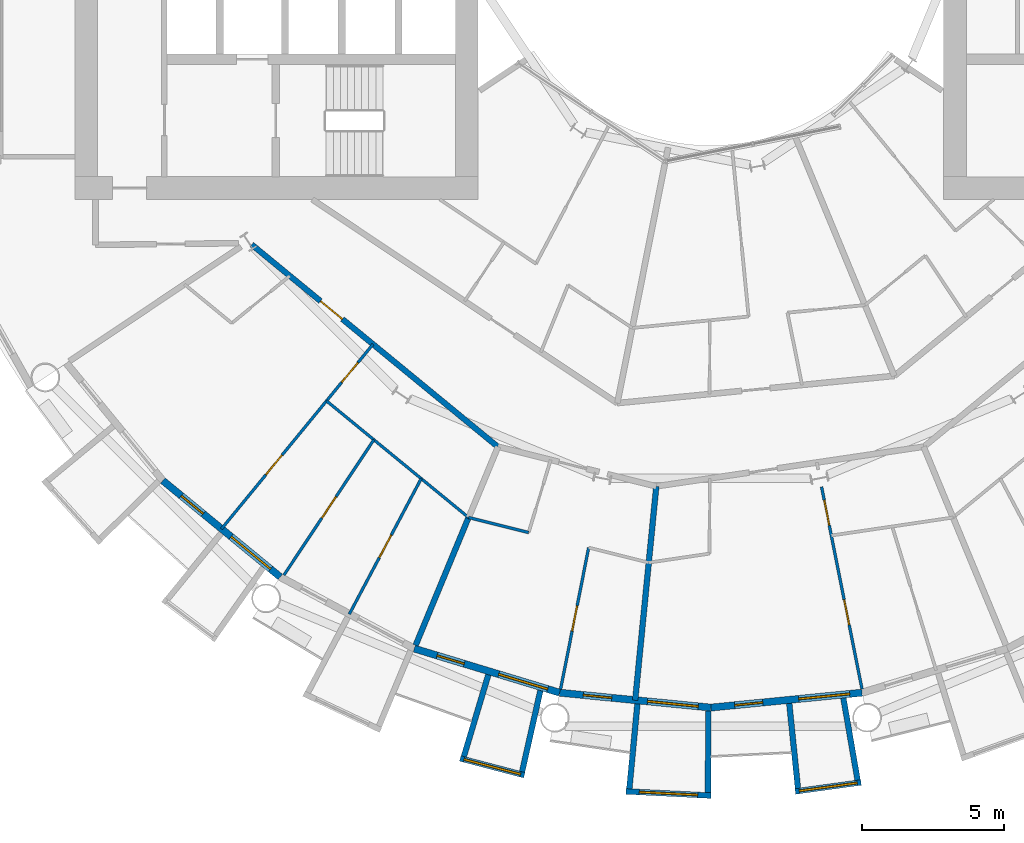
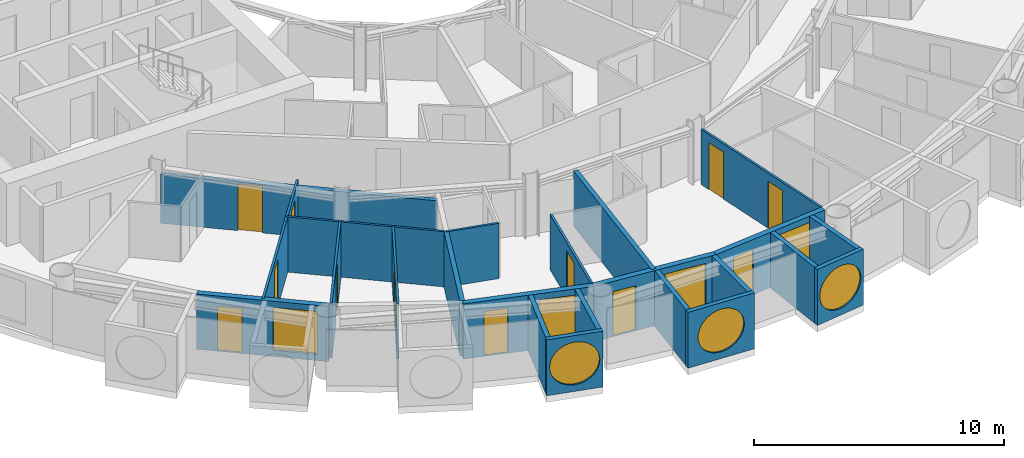
# One storey, part 13 of 26: 23 walls, 12 doors, 7 windows, 19 openings.
"""IFC4 building model written with IfcOpenShell, lengths in metres."""

from ifc_helpers import new_model, si_unit, direction, frame, frame_2d, origin, place, context, subcontext, project, spatial, rectangle, circle, extrude, material, layer, layer_set, type_object, element, fill, save


model = new_model("IFC4")

# Units and contexts
model_context = context("Model", 3, precision=1e-05, world=origin(), true_north=direction((0.0, 1.0)))
body_context = subcontext(model_context, "Body", "Model", "MODEL_VIEW")
ifc_project = project(units=[si_unit("LENGTHUNIT", "METRE"), si_unit("AREAUNIT", "SQUARE_METRE"), si_unit("VOLUMEUNIT", "CUBIC_METRE"), si_unit("PLANEANGLEUNIT", "RADIAN"), si_unit("MASSUNIT", "GRAM", prefix="KILO")], contexts=[model_context])

# Site, building, storey
site_placement = place(None, origin())
site = spatial("IfcSite", under=ifc_project, at=site_placement, CompositionType="ELEMENT")
building_placement = place(site_placement, origin())
building = spatial("IfcBuilding", under=site, at=building_placement, Name="Maasbend Ring Residences", CompositionType="ELEMENT")
storey_placement = place(building_placement, frame((0.0, 0.0, 38.050048828125)))
storey = spatial("IfcBuildingStorey", under=building, at=storey_placement, Name="L10", CompositionType="ELEMENT", Elevation=38.050048828125)

# Wall, opening, door
ifc_material_1 = material(Name="Concrete C30/37", Category="concrete")
ifc_layer_1 = layer(ifc_material_1, 0.199951171875)
ifc_layer_set_1 = layer_set([ifc_layer_1], Name="Concrete C30/37")
wall_type_1 = type_object("IfcWallType", Name="CORRIDOR WALL 200 CONCRETE", PredefinedType="PARTITIONING", material=ifc_layer_set_1)
wall_1_placement = place(storey_placement, frame((-16.173095703125, -10.989990234375, 0.0), z_axis=(0.0, 0.0, 1.0), x_axis=(0.772704887747, -0.634765434198, 0.0)))
wall_1 = element("IfcWall", 1, at=wall_1_placement, inside=storey, type_object=wall_type_1, Name="U-L10-w014", PredefinedType="PARTITIONING", context=body_context, shape_type="SweptSolid", body=[
    extrude(rectangle(XDim=11.208740234375, YDim=0.199951171875, at=frame_2d((5.6044921875, 0.0))), origin(), (0.0, 0.0, 1.0), 2.3798828125),
])
opening_1_placement = place(wall_1_placement, frame((3.136962890625, 0.0, 0.0)))
opening_1 = element("IfcOpeningElement", 2, at=opening_1_placement, cuts=wall_1, Name="Opening D-1033", PredefinedType="OPENING", context=body_context, shape_type="SweptSolid", body=[
    extrude(rectangle(XDim=1.0, YDim=2.300048828125, at=frame_2d((0.5, 1.14990234375))), frame((0.0, 0.10986328125, 0.0), z_axis=(0.0, -1.0, 0.0), x_axis=(1.0, 0.0, 0.0)), (0.0, 0.0, 1.0), 0.219970703125),
])
ifc_material_2 = material(Name="Timber, fire-rated, painted", Category="wood")
door_type_1 = type_object("IfcDoorType", Name="FLAT ENTRANCE DOOR 1000 X 2300 FIRE-RATED", OperationType="NOTDEFINED", PredefinedType="DOOR", material=ifc_material_2)
door_1_placement = place(opening_1_placement, origin())
door_1 = element("IfcDoor", 3, at=door_1_placement, inside=storey, type_object=door_type_1, Name="D-1033", OperationType="SINGLE_SWING_LEFT", OverallHeight=2.300048828125, OverallWidth=1.0, PredefinedType="DOOR", context=body_context, shape_type="SweptSolid", body=[
    extrude(rectangle(XDim=1.0, YDim=2.300048828125, at=frame_2d((0.5, 1.14990234375))), frame((0.0, 0.02490234375, 0.0), z_axis=(0.0, -1.0, 0.0), x_axis=(1.0, 0.0, 0.0)), (0.0, 0.0, 1.0), 0.050048828125),
])
fill(opening_1, door_1)

# Wall, opening, window
ifc_material_3 = material(Name="Pale anodised aluminium panel", Category="aluminium")
ifc_layer_2 = layer(ifc_material_3, 0.199951171875)
ifc_layer_set_2 = layer_set([ifc_layer_2], Name="EW-BOX")
wall_type_2 = type_object("IfcWallType", Name="EW-BOX", PredefinedType="SOLIDWALL", material=ifc_layer_set_2)
wall_2_placement = place(storey_placement, frame((-8.827880859375, -29.090087890625, -0.030029296875), z_axis=(0.0, 0.0, 1.0), x_axis=(0.967377102346, -0.253340762326, 0.0)))
wall_2 = element("IfcWall", 4, at=wall_2_placement, inside=storey, type_object=wall_type_2, Name="Box front S08", PredefinedType="SOLIDWALL", context=body_context, shape_type="SweptSolid", body=[
    extrude(rectangle(XDim=2.3359375, YDim=0.199951171875, at=frame_2d((1.16796875, 0.0))), origin(), (0.0, 0.0, 1.0), 2.72998046875),
])
opening_2_placement = place(wall_2_placement, frame((0.128173828125, 0.0, 0.330078125)))
opening_2 = element("IfcOpeningElement", 5, at=opening_2_placement, cuts=wall_2, Name="Opening W-RD", PredefinedType="OPENING", context=body_context, shape_type="SweptSolid", body=[
    extrude(circle(Radius=1.0400390625, at=frame_2d((1.0400390625, 1.0400390625))), frame((0.0, 0.10986328125, 0.0), z_axis=(0.0, -1.0, 0.0), x_axis=(1.0, 0.0, 0.0)), (0.0, 0.0, 1.0), 0.219970703125),
])
ifc_material_4 = material(Name="Aluminium and clear glass", Category="aluminium")
window_type_1 = type_object("IfcWindowType", Name="W-RD", PartitioningType="SINGLE_PANEL", PredefinedType="WINDOW", material=ifc_material_4)
window_1_placement = place(opening_2_placement, origin())
window_1 = element("IfcWindow", 6, at=window_1_placement, inside=storey, type_object=window_type_1, Name="Round window S08", OverallHeight=2.080078125, OverallWidth=2.080078125, PartitioningType="SINGLE_PANEL", PredefinedType="WINDOW", context=body_context, shape_type="SweptSolid", body=[
    extrude(circle(Radius=1.0400390625, at=frame_2d((1.0400390625, 1.0400390625))), frame((0.0, 0.030029296875, 0.0), z_axis=(0.0, -1.0, 0.0), x_axis=(1.0, 0.0, 0.0)), (0.0, 0.0, 1.0), 0.06005859375),
])
fill(opening_2, window_1)

# Walls
wall_3_placement = place(storey_placement, frame((-7.8369140625, -26.14404296875, -0.030029296875), z_axis=(0.0, 0.0, 1.0), x_axis=(-0.287064767992, -0.957911174889, 0.0)))
element("IfcWall", 7, at=wall_3_placement, inside=storey, type_object=wall_type_2, Name="Box side wall S08 left", PredefinedType="SOLIDWALL", context=body_context, shape_type="SweptSolid", body=[
    extrude(rectangle(XDim=3.00634765625, YDim=0.199951171875, at=frame_2d((1.503173828125, 0.0))), origin(), (0.0, 0.0, 1.0), 2.72998046875),
])
wall_4_placement = place(storey_placement, frame((-6.00390625, -26.699951171875, -0.030029296875), z_axis=(0.0, 0.0, 1.0), x_axis=(-0.219609259383, -0.975587911566, 0.0)))
element("IfcWall", 8, at=wall_4_placement, inside=storey, type_object=wall_type_2, Name="Box side wall S08 right", PredefinedType="SOLIDWALL", context=body_context, shape_type="SweptSolid", body=[
    extrude(rectangle(XDim=2.9326171875, YDim=0.199951171875, at=frame_2d((1.46630859375, 0.0))), origin(), (0.0, 0.0, 1.0), 2.72998046875),
])

# Wall, opening, window
wall_5_placement = place(storey_placement, frame((-2.985107421875, -30.2529296875, -0.030029296875), z_axis=(0.0, 0.0, 1.0), x_axis=(0.998794083011, -0.049095618353, 0.0)))
wall_5 = element("IfcWall", 9, at=wall_5_placement, inside=storey, type_object=wall_type_2, Name="Box front S10", PredefinedType="SOLIDWALL", context=body_context, shape_type="SweptSolid", body=[
    extrude(rectangle(XDim=2.99365234375, YDim=0.199951171875, at=frame_2d((1.496826171875, 0.0))), origin(), (0.0, 0.0, 1.0), 2.72998046875),
])
opening_3_placement = place(wall_5_placement, frame((0.45654296875, 0.0, 0.330078125)))
opening_3 = element("IfcOpeningElement", 10, at=opening_3_placement, cuts=wall_5, Name="Opening W-RD", PredefinedType="OPENING", context=body_context, shape_type="SweptSolid", body=[
    extrude(circle(Radius=1.0400390625, at=frame_2d((1.0400390625, 1.0400390625))), frame((0.0, 0.10986328125, 0.0), z_axis=(0.0, -1.0, 0.0), x_axis=(1.0, 0.0, 0.0)), (0.0, 0.0, 1.0), 0.219970703125),
])
window_2_placement = place(opening_3_placement, origin())
window_2 = element("IfcWindow", 11, at=window_2_placement, inside=storey, type_object=window_type_1, Name="Round window S10", OverallHeight=2.080078125, OverallWidth=2.080078125, PartitioningType="SINGLE_PANEL", PredefinedType="WINDOW", context=body_context, shape_type="SweptSolid", body=[
    extrude(circle(Radius=1.0400390625, at=frame_2d((1.0400390625, 1.0400390625))), frame((0.0, 0.030029296875, 0.0), z_axis=(0.0, -1.0, 0.0), x_axis=(1.0, 0.0, 0.0)), (0.0, 0.0, 1.0), 0.06005859375),
])
fill(opening_3, window_2)

# Walls
wall_6_placement = place(storey_placement, frame((-2.5859375, -27.1708984375, -0.030029296875), z_axis=(0.0, 0.0, 1.0), x_axis=(-0.094548432284, -0.995520262954, 0.0)))
element("IfcWall", 12, at=wall_6_placement, inside=storey, type_object=wall_type_2, Name="Box side wall S10 left", PredefinedType="SOLIDWALL", context=body_context, shape_type="SweptSolid", body=[
    extrude(rectangle(XDim=3.005615234375, YDim=0.199951171875, at=frame_2d((1.5029296875, 0.0))), origin(), (0.0, 0.0, 1.0), 2.72998046875),
])
wall_7_placement = place(storey_placement, frame((-0.090087890625, -27.4169921875, -0.030029296875), z_axis=(0.0, 0.0, 1.0), x_axis=(-0.00347308367, -0.999993968827, 0.0)))
element("IfcWall", 13, at=wall_7_placement, inside=storey, type_object=wall_type_2, Name="Box side wall S10 right", PredefinedType="SOLIDWALL", context=body_context, shape_type="SweptSolid", body=[
    extrude(rectangle(XDim=2.882080078125, YDim=0.199951171875, at=frame_2d((1.44091796875, 0.0))), origin(), (0.0, 0.0, 1.0), 2.72998046875),
])

# Wall, opening, window
wall_8_placement = place(storey_placement, frame((2.97607421875, -30.25390625, -0.030029296875), z_axis=(0.0, 0.0, 1.0), x_axis=(0.990696111261, 0.136092671119, 0.0)))
wall_8 = element("IfcWall", 14, at=wall_8_placement, inside=storey, type_object=wall_type_2, Name="Box front S12", PredefinedType="SOLIDWALL", context=body_context, shape_type="SweptSolid", body=[
    extrude(rectangle(XDim=2.335693359375, YDim=0.199951171875, at=frame_2d((1.16796875, 0.0))), origin(), (0.0, 0.0, 1.0), 2.72998046875),
])
opening_4_placement = place(wall_8_placement, frame((0.128173828125, 0.0, 0.330078125)))
opening_4 = element("IfcOpeningElement", 15, at=opening_4_placement, cuts=wall_8, Name="Opening W-RD", PredefinedType="OPENING", context=body_context, shape_type="SweptSolid", body=[
    extrude(circle(Radius=1.0400390625, at=frame_2d((1.0400390625, 1.0400390625))), frame((0.0, 0.10986328125, 0.0), z_axis=(0.0, -1.0, 0.0), x_axis=(1.0, 0.0, 0.0)), (0.0, 0.0, 1.0), 0.219970703125),
])
window_3_placement = place(opening_4_placement, origin())
window_3 = element("IfcWindow", 16, at=window_3_placement, inside=storey, type_object=window_type_1, Name="Round window S12", OverallHeight=2.080078125, OverallWidth=2.080078125, PartitioningType="SINGLE_PANEL", PredefinedType="WINDOW", context=body_context, shape_type="SweptSolid", body=[
    extrude(circle(Radius=1.0400390625, at=frame_2d((1.0400390625, 1.0400390625))), frame((0.0, 0.030029296875, 0.0), z_axis=(0.0, -1.0, 0.0), x_axis=(1.0, 0.0, 0.0)), (0.0, 0.0, 1.0), 0.06005859375),
])
fill(opening_4, window_3)

# Walls
wall_9_placement = place(storey_placement, frame((2.763916015625, -27.153076171875, -0.030029296875), z_axis=(0.0, 0.0, 1.0), x_axis=(0.101505487237, -0.994834979311, 0.0)))
element("IfcWall", 17, at=wall_9_placement, inside=storey, type_object=wall_type_2, Name="Box side wall S12 left", PredefinedType="SOLIDWALL", context=body_context, shape_type="SweptSolid", body=[
    extrude(rectangle(XDim=3.006591796875, YDim=0.199951171875, at=frame_2d((1.50341796875, 0.0))), origin(), (0.0, 0.0, 1.0), 2.72998046875),
])
wall_10_placement = place(storey_placement, frame((4.6708984375, -26.966064453125, -0.030029296875), z_axis=(0.0, 0.0, 1.0), x_axis=(0.170539878907, -0.985350774954, 0.0)))
element("IfcWall", 18, at=wall_10_placement, inside=storey, type_object=wall_type_2, Name="Box side wall S12 right", PredefinedType="SOLIDWALL", context=body_context, shape_type="SweptSolid", body=[
    extrude(rectangle(XDim=2.931884765625, YDim=0.199951171875, at=frame_2d((1.4658203125, 0.0))), origin(), (0.0, 0.0, 1.0), 2.72998046875),
])

# Wall, openings, door, window
ifc_material_5 = material(Name="Aluminium clad insulated panel", Category="aluminium")
ifc_layer_3 = layer(ifc_material_5, 0.25)
ifc_layer_set_3 = layer_set([ifc_layer_3], Name="EW-GL")
wall_type_3 = type_object("IfcWallType", Name="EW-GL", PredefinedType="SOLIDWALL", material=ifc_layer_set_3)
wall_11_placement = place(storey_placement, frame((-19.303955078125, -19.303955078125, 0.0), z_axis=(0.0, 0.0, 1.0), x_axis=(0.773019449054, -0.634382322723, 0.0)))
wall_11 = element("IfcWall", 19, at=wall_11_placement, inside=storey, type_object=wall_type_3, Name="External wall S02", PredefinedType="SOLIDWALL", context=body_context, shape_type="SweptSolid", body=[
    extrude(rectangle(XDim=5.351806640625, YDim=0.25, at=frame_2d((2.67578125, 0.0))), origin(), (0.0, 0.0, 1.0), 2.699951171875),
])
opening_5_placement = place(wall_11_placement, frame((0.841064453125, 0.0, 0.0)))
opening_5 = element("IfcOpeningElement", 20, at=opening_5_placement, cuts=wall_11, Name="Opening D-LG", PredefinedType="OPENING", context=body_context, shape_type="SweptSolid", body=[
    extrude(rectangle(XDim=1.0, YDim=2.199951171875, at=frame_2d((0.5, 1.10009765625))), frame((0.0, 0.135009765625, 0.0), z_axis=(0.0, -1.0, 0.0), x_axis=(1.0, 0.0, 0.0)), (0.0, 0.0, 1.0), 0.27001953125),
])
opening_6_placement = place(wall_11_placement, frame((3.110595703125, 0.0, 0.300048828125)))
opening_6 = element("IfcOpeningElement", 21, at=opening_6_placement, cuts=wall_11, Name="Opening W-BX", PredefinedType="OPENING", context=body_context, shape_type="SweptSolid", body=[
    extrude(rectangle(XDim=1.800048828125, YDim=2.10009765625, at=frame_2d((0.89990234375, 1.050048828125))), frame((0.0, 0.135009765625, 0.0), z_axis=(0.0, -1.0, 0.0), x_axis=(1.0, 0.0, 0.0)), (0.0, 0.0, 1.0), 0.27001953125),
])
ifc_material_6 = material(Name="Aluminium and clear glass", Category="aluminium")
door_type_2 = type_object("IfcDoorType", Name="D-LG", OperationType="SINGLE_SWING_LEFT", PredefinedType="DOOR", material=ifc_material_6)
door_2_placement = place(opening_5_placement, origin())
door_2 = element("IfcDoor", 22, at=door_2_placement, inside=storey, type_object=door_type_2, Name="Loggia door S03", OperationType="SINGLE_SWING_LEFT", OverallHeight=2.199951171875, OverallWidth=1.0, PredefinedType="DOOR", context=body_context, shape_type="SweptSolid", body=[
    extrude(rectangle(XDim=1.0, YDim=2.199951171875, at=frame_2d((0.5, 1.10009765625))), frame((0.0, 0.02490234375, 0.0), z_axis=(0.0, -1.0, 0.0), x_axis=(1.0, 0.0, 0.0)), (0.0, 0.0, 1.0), 0.050048828125),
])
fill(opening_5, door_2)
ifc_material_7 = material(Name="Aluminium and clear glass", Category="aluminium")
window_type_2 = type_object("IfcWindowType", Name="W-BX", PartitioningType="DOUBLE_PANEL_VERTICAL", PredefinedType="WINDOW", material=ifc_material_7)
window_4_placement = place(opening_6_placement, origin())
window_4 = element("IfcWindow", 23, at=window_4_placement, inside=storey, type_object=window_type_2, Name="Window S04 room to box", OverallHeight=2.10009765625, OverallWidth=1.800048828125, PartitioningType="SINGLE_PANEL", PredefinedType="WINDOW", context=body_context, shape_type="SweptSolid", body=[
    extrude(rectangle(XDim=1.800048828125, YDim=2.10009765625, at=frame_2d((0.89990234375, 1.050048828125))), frame((0.0, 0.030029296875, 0.0), z_axis=(0.0, -1.0, 0.0), x_axis=(1.0, 0.0, 0.0)), (0.0, 0.0, 1.0), 0.06005859375),
])
fill(opening_6, window_4)

wall_12_placement = place(storey_placement, frame((-10.447021484375, -25.221923828125, 0.0), z_axis=(0.0, 0.0, 1.0), x_axis=(0.956965678721, -0.290201119486, 0.0)))
wall_12 = element("IfcWall", 24, at=wall_12_placement, inside=storey, type_object=wall_type_3, Name="External wall S04", PredefinedType="SOLIDWALL", context=body_context, shape_type="SweptSolid", body=[
    extrude(rectangle(XDim=5.351318359375, YDim=0.25, at=frame_2d((2.67578125, 0.0))), origin(), (0.0, 0.0, 1.0), 2.699951171875),
])
opening_7_placement = place(wall_12_placement, frame((0.841064453125, 0.0, 0.0)))
opening_7 = element("IfcOpeningElement", 25, at=opening_7_placement, cuts=wall_12, Name="Opening D-LG", PredefinedType="OPENING", context=body_context, shape_type="SweptSolid", body=[
    extrude(rectangle(XDim=1.0, YDim=2.199951171875, at=frame_2d((0.5, 1.10009765625))), frame((0.0, 0.135009765625, 0.0), z_axis=(0.0, -1.0, 0.0), x_axis=(1.0, 0.0, 0.0)), (0.0, 0.0, 1.0), 0.27001953125),
])
opening_8_placement = place(wall_12_placement, frame((3.110595703125, 0.0, 0.300048828125)))
opening_8 = element("IfcOpeningElement", 26, at=opening_8_placement, cuts=wall_12, Name="Opening W-BX", PredefinedType="OPENING", context=body_context, shape_type="SweptSolid", body=[
    extrude(rectangle(XDim=1.800048828125, YDim=2.10009765625, at=frame_2d((0.89990234375, 1.050048828125))), frame((0.0, 0.135009765625, 0.0), z_axis=(0.0, -1.0, 0.0), x_axis=(1.0, 0.0, 0.0)), (0.0, 0.0, 1.0), 0.27001953125),
])
door_3_placement = place(opening_7_placement, origin())
door_3 = element("IfcDoor", 27, at=door_3_placement, inside=storey, type_object=door_type_2, Name="Loggia door S07", OperationType="SINGLE_SWING_LEFT", OverallHeight=2.199951171875, OverallWidth=1.0, PredefinedType="DOOR", context=body_context, shape_type="SweptSolid", body=[
    extrude(rectangle(XDim=1.0, YDim=2.199951171875, at=frame_2d((0.5, 1.10009765625))), frame((0.0, 0.02490234375, 0.0), z_axis=(0.0, -1.0, 0.0), x_axis=(1.0, 0.0, 0.0)), (0.0, 0.0, 1.0), 0.050048828125),
])
fill(opening_7, door_3)
window_5_placement = place(opening_8_placement, origin())
window_5 = element("IfcWindow", 28, at=window_5_placement, inside=storey, type_object=window_type_2, Name="Window S08 room to box", OverallHeight=2.10009765625, OverallWidth=1.800048828125, PartitioningType="SINGLE_PANEL", PredefinedType="WINDOW", context=body_context, shape_type="SweptSolid", body=[
    extrude(rectangle(XDim=1.800048828125, YDim=2.10009765625, at=frame_2d((0.89990234375, 1.050048828125))), frame((0.0, 0.030029296875, 0.0), z_axis=(0.0, -1.0, 0.0), x_axis=(1.0, 0.0, 0.0)), (0.0, 0.0, 1.0), 0.06005859375),
])
fill(opening_8, window_5)

wall_13_placement = place(storey_placement, frame((-5.325927734375, -26.77490234375, 0.0), z_axis=(0.0, 0.0, 1.0), x_axis=(0.995173996315, -0.098126026407, 0.0)))
wall_13 = element("IfcWall", 29, at=wall_13_placement, inside=storey, type_object=wall_type_3, Name="External wall S05", PredefinedType="SOLIDWALL", context=body_context, shape_type="SweptSolid", body=[
    extrude(rectangle(XDim=5.351806640625, YDim=0.25, at=frame_2d((2.67578125, 0.0))), origin(), (0.0, 0.0, 1.0), 2.699951171875),
])
opening_9_placement = place(wall_13_placement, frame((0.841064453125, 0.0, 0.0)))
opening_9 = element("IfcOpeningElement", 30, at=opening_9_placement, cuts=wall_13, Name="Opening D-LG", PredefinedType="OPENING", context=body_context, shape_type="SweptSolid", body=[
    extrude(rectangle(XDim=1.0, YDim=2.199951171875, at=frame_2d((0.5, 1.10009765625))), frame((0.0, 0.135009765625, 0.0), z_axis=(0.0, -1.0, 0.0), x_axis=(1.0, 0.0, 0.0)), (0.0, 0.0, 1.0), 0.27001953125),
])
opening_10_placement = place(wall_13_placement, frame((3.110595703125, 0.0, 0.300048828125)))
opening_10 = element("IfcOpeningElement", 31, at=opening_10_placement, cuts=wall_13, Name="Opening W-BX", PredefinedType="OPENING", context=body_context, shape_type="SweptSolid", body=[
    extrude(rectangle(XDim=1.800048828125, YDim=2.10009765625, at=frame_2d((0.89990234375, 1.050048828125))), frame((0.0, 0.135009765625, 0.0), z_axis=(0.0, -1.0, 0.0), x_axis=(1.0, 0.0, 0.0)), (0.0, 0.0, 1.0), 0.27001953125),
])
door_4_placement = place(opening_9_placement, origin())
door_4 = element("IfcDoor", 32, at=door_4_placement, inside=storey, type_object=door_type_2, Name="Loggia door S09", OperationType="SINGLE_SWING_LEFT", OverallHeight=2.199951171875, OverallWidth=1.0, PredefinedType="DOOR", context=body_context, shape_type="SweptSolid", body=[
    extrude(rectangle(XDim=1.0, YDim=2.199951171875, at=frame_2d((0.5, 1.10009765625))), frame((0.0, 0.02490234375, 0.0), z_axis=(0.0, -1.0, 0.0), x_axis=(1.0, 0.0, 0.0)), (0.0, 0.0, 1.0), 0.050048828125),
])
fill(opening_9, door_4)
window_6_placement = place(opening_10_placement, origin())
window_6 = element("IfcWindow", 33, at=window_6_placement, inside=storey, type_object=window_type_2, Name="Window S10 room to box", OverallHeight=2.10009765625, OverallWidth=1.800048828125, PartitioningType="SINGLE_PANEL", PredefinedType="WINDOW", context=body_context, shape_type="SweptSolid", body=[
    extrude(rectangle(XDim=1.800048828125, YDim=2.10009765625, at=frame_2d((0.89990234375, 1.050048828125))), frame((0.0, 0.030029296875, 0.0), z_axis=(0.0, -1.0, 0.0), x_axis=(1.0, 0.0, 0.0)), (0.0, 0.0, 1.0), 0.06005859375),
])
fill(opening_10, window_6)

wall_14_placement = place(storey_placement, frame((0.0, -27.300048828125, 0.0), z_axis=(0.0, 0.0, 1.0), x_axis=(0.995173996315, 0.098126026407, 0.0)))
wall_14 = element("IfcWall", 34, at=wall_14_placement, inside=storey, type_object=wall_type_3, Name="External wall S06", PredefinedType="SOLIDWALL", context=body_context, shape_type="SweptSolid", body=[
    extrude(rectangle(XDim=5.351806640625, YDim=0.25, at=frame_2d((2.67578125, 0.0))), origin(), (0.0, 0.0, 1.0), 2.699951171875),
])
opening_11_placement = place(wall_14_placement, frame((0.841064453125, 0.0, 0.0)))
opening_11 = element("IfcOpeningElement", 35, at=opening_11_placement, cuts=wall_14, Name="Opening D-LG", PredefinedType="OPENING", context=body_context, shape_type="SweptSolid", body=[
    extrude(rectangle(XDim=1.0, YDim=2.199951171875, at=frame_2d((0.5, 1.10009765625))), frame((0.0, 0.135009765625, 0.0), z_axis=(0.0, -1.0, 0.0), x_axis=(1.0, 0.0, 0.0)), (0.0, 0.0, 1.0), 0.27001953125),
])
opening_12_placement = place(wall_14_placement, frame((3.110595703125, 0.0, 0.300048828125)))
opening_12 = element("IfcOpeningElement", 36, at=opening_12_placement, cuts=wall_14, Name="Opening W-BX", PredefinedType="OPENING", context=body_context, shape_type="SweptSolid", body=[
    extrude(rectangle(XDim=1.800048828125, YDim=2.10009765625, at=frame_2d((0.89990234375, 1.050048828125))), frame((0.0, 0.135009765625, 0.0), z_axis=(0.0, -1.0, 0.0), x_axis=(1.0, 0.0, 0.0)), (0.0, 0.0, 1.0), 0.27001953125),
])
door_5_placement = place(opening_11_placement, origin())
door_5 = element("IfcDoor", 37, at=door_5_placement, inside=storey, type_object=door_type_2, Name="Loggia door S11", OperationType="SINGLE_SWING_LEFT", OverallHeight=2.199951171875, OverallWidth=1.0, PredefinedType="DOOR", context=body_context, shape_type="SweptSolid", body=[
    extrude(rectangle(XDim=1.0, YDim=2.199951171875, at=frame_2d((0.5, 1.10009765625))), frame((0.0, 0.02490234375, 0.0), z_axis=(0.0, -1.0, 0.0), x_axis=(1.0, 0.0, 0.0)), (0.0, 0.0, 1.0), 0.050048828125),
])
fill(opening_11, door_5)
window_7_placement = place(opening_12_placement, origin())
window_7 = element("IfcWindow", 38, at=window_7_placement, inside=storey, type_object=window_type_2, Name="Window S12 room to box", OverallHeight=2.10009765625, OverallWidth=1.800048828125, PartitioningType="SINGLE_PANEL", PredefinedType="WINDOW", context=body_context, shape_type="SweptSolid", body=[
    extrude(rectangle(XDim=1.800048828125, YDim=2.10009765625, at=frame_2d((0.89990234375, 1.050048828125))), frame((0.0, 0.030029296875, 0.0), z_axis=(0.0, -1.0, 0.0), x_axis=(1.0, 0.0, 0.0)), (0.0, 0.0, 1.0), 0.06005859375),
])
fill(opening_12, window_7)

# Walls
ifc_material_8 = material(Name="Gypsum board on steel studs", Category="steel")
ifc_layer_4 = layer(ifc_material_8, 0.10009765625)
ifc_layer_set_4 = layer_set([ifc_layer_4], Name="PARTITION 100 GYPSUM")
wall_type_4 = type_object("IfcWallType", Name="PARTITION 100 GYPSUM", PredefinedType="PARTITIONING", material=ifc_layer_set_4)
wall_15_placement = place(storey_placement, frame((-8.533935546875, -20.60302734375, 0.0), z_axis=(0.0, 0.0, 1.0), x_axis=(0.97003047456, -0.242983288366, 0.0)))
element("IfcWall", 39, at=wall_15_placement, inside=storey, type_object=wall_type_4, Name="U-L10-w001", PredefinedType="PARTITIONING", context=body_context, shape_type="SweptSolid", body=[
    extrude(rectangle(XDim=2.181396484375, YDim=0.10009765625, at=frame_2d((1.0908203125, 0.0))), origin(), (0.0, 0.0, 1.0), 2.699951171875),
])
wall_16_placement = place(storey_placement, frame((-13.5380859375, -16.49609375, 0.0), z_axis=(0.0, 0.0, 1.0), x_axis=(0.773000340237, -0.634405606843, 0.0)))
element("IfcWall", 40, at=wall_16_placement, inside=storey, type_object=wall_type_4, Name="U-L10-w008", PredefinedType="PARTITIONING", context=body_context, shape_type="SweptSolid", body=[
    extrude(rectangle(XDim=6.4736328125, YDim=0.10009765625, at=frame_2d((3.23681640625, 0.0))), origin(), (0.0, 0.0, 1.0), 2.699951171875),
])

# Wall, openings, doors
wall_17_placement = place(storey_placement, frame((-17.239990234375, -21.007080078125, 0.0), z_axis=(0.0, 0.0, 1.0), x_axis=(0.634396151441, 0.77300810024, 0.0)))
wall_17 = element("IfcWall", 41, at=wall_17_placement, inside=storey, type_object=wall_type_4, Name="U-L10-w031", PredefinedType="PARTITIONING", context=body_context, shape_type="SweptSolid", body=[
    extrude(rectangle(XDim=8.419189453125, YDim=0.10009765625, at=frame_2d((4.20947265625, 0.0))), origin(), (0.0, 0.0, 1.0), 2.699951171875),
])
opening_13_placement = place(wall_17_placement, frame((6.678955078125, 0.0, 0.0)))
opening_13 = element("IfcOpeningElement", 42, at=opening_13_placement, cuts=wall_17, Name="Opening D-1035", PredefinedType="OPENING", context=body_context, shape_type="SweptSolid", body=[
    extrude(rectangle(XDim=0.89990234375, YDim=2.300048828125, at=frame_2d((0.449951171875, 1.14990234375))), frame((0.0, 0.06005859375, 0.0), z_axis=(0.0, -1.0, 0.0), x_axis=(1.0, 0.0, 0.0)), (0.0, 0.0, 1.0), 0.1201171875),
])
opening_14_placement = place(wall_17_placement, frame((2.468017578125, 0.0, 0.0)))
opening_14 = element("IfcOpeningElement", 43, at=opening_14_placement, cuts=wall_17, Name="Opening D-1036", PredefinedType="OPENING", context=body_context, shape_type="SweptSolid", body=[
    extrude(rectangle(XDim=0.89990234375, YDim=2.300048828125, at=frame_2d((0.449951171875, 1.14990234375))), frame((0.0, 0.06005859375, 0.0), z_axis=(0.0, -1.0, 0.0), x_axis=(1.0, 0.0, 0.0)), (0.0, 0.0, 1.0), 0.1201171875),
])
ifc_material_9 = material(Name="Timber, painted", Category="wood")
door_type_3 = type_object("IfcDoorType", Name="INTERNAL DOOR 900 X 2300", OperationType="NOTDEFINED", PredefinedType="DOOR", material=ifc_material_9)
door_6_placement = place(opening_13_placement, origin())
door_6 = element("IfcDoor", 44, at=door_6_placement, inside=storey, type_object=door_type_3, Name="D-1035", OperationType="SINGLE_SWING_RIGHT", OverallHeight=2.300048828125, OverallWidth=0.89990234375, PredefinedType="DOOR", context=body_context, shape_type="SweptSolid", body=[
    extrude(rectangle(XDim=0.89990234375, YDim=2.300048828125, at=frame_2d((0.449951171875, 1.14990234375))), frame((0.0, 0.02490234375, 0.0), z_axis=(0.0, -1.0, 0.0), x_axis=(1.0, 0.0, 0.0)), (0.0, 0.0, 1.0), 0.050048828125),
])
fill(opening_13, door_6)
door_7_placement = place(opening_14_placement, origin())
door_7 = element("IfcDoor", 45, at=door_7_placement, inside=storey, type_object=door_type_3, Name="D-1036", OperationType="SINGLE_SWING_LEFT", OverallHeight=2.300048828125, OverallWidth=0.89990234375, PredefinedType="DOOR", context=body_context, shape_type="SweptSolid", body=[
    extrude(rectangle(XDim=0.89990234375, YDim=2.300048828125, at=frame_2d((0.449951171875, 1.14990234375))), frame((0.0, 0.02490234375, 0.0), z_axis=(0.0, -1.0, 0.0), x_axis=(1.0, 0.0, 0.0)), (0.0, 0.0, 1.0), 0.050048828125),
])
fill(opening_14, door_7)

# Wall, opening, door
wall_18_placement = place(storey_placement, frame((-15.0390625, -22.634033203125, 0.0), z_axis=(0.0, 0.0, 1.0), x_axis=(0.553440102418, 0.832888980018, 0.0)))
wall_18 = element("IfcWall", 46, at=wall_18_placement, inside=storey, type_object=wall_type_4, Name="U-L10-w036", PredefinedType="PARTITIONING", context=body_context, shape_type="SweptSolid", body=[
    extrude(rectangle(XDim=5.725830078125, YDim=0.10009765625, at=frame_2d((2.86279296875, 0.0))), origin(), (0.0, 0.0, 1.0), 2.699951171875),
])
opening_15_placement = place(wall_18_placement, frame((2.4130859375, 0.0, 0.0)))
opening_15 = element("IfcOpeningElement", 47, at=opening_15_placement, cuts=wall_18, Name="Opening D-1037", PredefinedType="OPENING", context=body_context, shape_type="SweptSolid", body=[
    extrude(rectangle(XDim=0.89990234375, YDim=2.300048828125, at=frame_2d((0.449951171875, 1.14990234375))), frame((0.0, 0.06005859375, 0.0), z_axis=(0.0, -1.0, 0.0), x_axis=(1.0, 0.0, 0.0)), (0.0, 0.0, 1.0), 0.1201171875),
])
door_8_placement = place(opening_15_placement, origin())
door_8 = element("IfcDoor", 48, at=door_8_placement, inside=storey, type_object=door_type_3, Name="D-1037", OperationType="SINGLE_SWING_RIGHT", OverallHeight=2.300048828125, OverallWidth=0.89990234375, PredefinedType="DOOR", context=body_context, shape_type="SweptSolid", body=[
    extrude(rectangle(XDim=0.89990234375, YDim=2.300048828125, at=frame_2d((0.449951171875, 1.14990234375))), frame((0.0, 0.02490234375, 0.0), z_axis=(0.0, -1.0, 0.0), x_axis=(1.0, 0.0, 0.0)), (0.0, 0.0, 1.0), 0.050048828125),
])
fill(opening_15, door_8)

wall_19_placement = place(storey_placement, frame((-12.73388671875, -24.007080078125, 0.0), z_axis=(0.0, 0.0, 1.0), x_axis=(0.468610030042, 0.883405139075, 0.0)))
wall_19 = element("IfcWall", 49, at=wall_19_placement, inside=storey, type_object=wall_type_4, Name="U-L10-w038", PredefinedType="PARTITIONING", context=body_context, shape_type="SweptSolid", body=[
    extrude(rectangle(XDim=5.403076171875, YDim=0.10009765625, at=frame_2d((2.70166015625, 0.0))), origin(), (0.0, 0.0, 1.0), 2.699951171875),
])
opening_16_placement = place(wall_19_placement, frame((2.251953125, 0.0, 0.0)))
opening_16 = element("IfcOpeningElement", 50, at=opening_16_placement, cuts=wall_19, Name="Opening D-1038", PredefinedType="OPENING", context=body_context, shape_type="SweptSolid", body=[
    extrude(rectangle(XDim=0.89990234375, YDim=2.300048828125, at=frame_2d((0.449951171875, 1.14990234375))), frame((0.0, 0.06005859375, 0.0), z_axis=(0.0, -1.0, 0.0), x_axis=(1.0, 0.0, 0.0)), (0.0, 0.0, 1.0), 0.1201171875),
])
door_9_placement = place(opening_16_placement, origin())
door_9 = element("IfcDoor", 51, at=door_9_placement, inside=storey, type_object=door_type_3, Name="D-1038", OperationType="SINGLE_SWING_LEFT", OverallHeight=2.300048828125, OverallWidth=0.89990234375, PredefinedType="DOOR", context=body_context, shape_type="SweptSolid", body=[
    extrude(rectangle(XDim=0.89990234375, YDim=2.300048828125, at=frame_2d((0.449951171875, 1.14990234375))), frame((0.0, 0.02490234375, 0.0), z_axis=(0.0, -1.0, 0.0), x_axis=(1.0, 0.0, 0.0)), (0.0, 0.0, 1.0), 0.050048828125),
])
fill(opening_16, door_9)

wall_20_placement = place(storey_placement, frame((-5.29296875, -26.655029296875, 0.0), z_axis=(0.0, 0.0, 1.0), x_axis=(0.194713709563, 0.980860118115, 0.0)))
wall_20 = element("IfcWall", 52, at=wall_20_placement, inside=storey, type_object=wall_type_4, Name="U-L10-w051", PredefinedType="PARTITIONING", context=body_context, shape_type="SweptSolid", body=[
    extrude(rectangle(XDim=5.08935546875, YDim=0.10009765625, at=frame_2d((2.544677734375, 0.0))), origin(), (0.0, 0.0, 1.0), 2.699951171875),
])
opening_17_placement = place(wall_20_placement, frame((2.094970703125, 0.0, 0.0)))
opening_17 = element("IfcOpeningElement", 53, at=opening_17_placement, cuts=wall_20, Name="Opening D-1041", PredefinedType="OPENING", context=body_context, shape_type="SweptSolid", body=[
    extrude(rectangle(XDim=0.89990234375, YDim=2.300048828125, at=frame_2d((0.449951171875, 1.14990234375))), frame((0.0, 0.06005859375, 0.0), z_axis=(0.0, -1.0, 0.0), x_axis=(1.0, 0.0, 0.0)), (0.0, 0.0, 1.0), 0.1201171875),
])
door_10_placement = place(opening_17_placement, origin())
door_10 = element("IfcDoor", 54, at=door_10_placement, inside=storey, type_object=door_type_3, Name="D-1041", OperationType="SINGLE_SWING_RIGHT", OverallHeight=2.300048828125, OverallWidth=0.89990234375, PredefinedType="DOOR", context=body_context, shape_type="SweptSolid", body=[
    extrude(rectangle(XDim=0.89990234375, YDim=2.300048828125, at=frame_2d((0.449951171875, 1.14990234375))), frame((0.0, 0.02490234375, 0.0), z_axis=(0.0, -1.0, 0.0), x_axis=(1.0, 0.0, 0.0)), (0.0, 0.0, 1.0), 0.050048828125),
])
fill(opening_17, door_10)

# Wall, openings, doors
wall_21_placement = place(storey_placement, frame((3.903076171875, -19.52392578125, 0.0), z_axis=(0.0, 0.0, 1.0), x_axis=(0.195986881771, -0.980606517505, 0.0)))
wall_21 = element("IfcWall", 55, at=wall_21_placement, inside=storey, type_object=wall_type_4, Name="U-L10-w069", PredefinedType="PARTITIONING", context=body_context, shape_type="SweptSolid", body=[
    extrude(rectangle(XDim=7.264892578125, YDim=0.10009765625, at=frame_2d((3.63232421875, 0.0))), origin(), (0.0, 0.0, 1.0), 2.699951171875),
])
opening_18_placement = place(wall_21_placement, frame((0.47607421875, 0.0, 0.0)))
opening_18 = element("IfcOpeningElement", 56, at=opening_18_placement, cuts=wall_21, Name="Opening D-1044", PredefinedType="OPENING", context=body_context, shape_type="SweptSolid", body=[
    extrude(rectangle(XDim=0.89990234375, YDim=2.300048828125, at=frame_2d((0.449951171875, 1.14990234375))), frame((0.0, 0.06005859375, 0.0), z_axis=(0.0, -1.0, 0.0), x_axis=(1.0, 0.0, 0.0)), (0.0, 0.0, 1.0), 0.1201171875),
])
opening_19_placement = place(wall_21_placement, frame((4.056884765625, 0.0, 0.0)))
opening_19 = element("IfcOpeningElement", 57, at=opening_19_placement, cuts=wall_21, Name="Opening D-1045", PredefinedType="OPENING", context=body_context, shape_type="SweptSolid", body=[
    extrude(rectangle(XDim=0.89990234375, YDim=2.300048828125, at=frame_2d((0.449951171875, 1.14990234375))), frame((0.0, 0.06005859375, 0.0), z_axis=(0.0, -1.0, 0.0), x_axis=(1.0, 0.0, 0.0)), (0.0, 0.0, 1.0), 0.1201171875),
])
door_11_placement = place(opening_18_placement, origin())
door_11 = element("IfcDoor", 58, at=door_11_placement, inside=storey, type_object=door_type_3, Name="D-1044", OperationType="SINGLE_SWING_LEFT", OverallHeight=2.300048828125, OverallWidth=0.89990234375, PredefinedType="DOOR", context=body_context, shape_type="SweptSolid", body=[
    extrude(rectangle(XDim=0.89990234375, YDim=2.300048828125, at=frame_2d((0.449951171875, 1.14990234375))), frame((0.0, 0.02490234375, 0.0), z_axis=(0.0, -1.0, 0.0), x_axis=(1.0, 0.0, 0.0)), (0.0, 0.0, 1.0), 0.050048828125),
])
fill(opening_18, door_11)
door_12_placement = place(opening_19_placement, origin())
door_12 = element("IfcDoor", 59, at=door_12_placement, inside=storey, type_object=door_type_3, Name="D-1045", OperationType="SINGLE_SWING_RIGHT", OverallHeight=2.300048828125, OverallWidth=0.89990234375, PredefinedType="DOOR", context=body_context, shape_type="SweptSolid", body=[
    extrude(rectangle(XDim=0.89990234375, YDim=2.300048828125, at=frame_2d((0.449951171875, 1.14990234375))), frame((0.0, 0.02490234375, 0.0), z_axis=(0.0, -1.0, 0.0), x_axis=(1.0, 0.0, 0.0)), (0.0, 0.0, 1.0), 0.050048828125),
])
fill(opening_19, door_12)

# Walls
ifc_material_10 = material(Name="Concrete C30/37", Category="concrete")
ifc_layer_5 = layer(ifc_material_10, 0.199951171875)
ifc_layer_set_5 = layer_set([ifc_layer_5], Name="Concrete C30/37")
wall_type_5 = type_object("IfcWallType", Name="PARTY WALL 200 CONCRETE", PredefinedType="PARTITIONING", material=ifc_layer_set_5)
wall_22_placement = place(storey_placement, frame((-10.39892578125, -25.10595703125, 0.0), z_axis=(0.0, 0.0, 1.0), x_axis=(0.382651153718, 0.923892902104, 0.0)))
element("IfcWall", 60, at=wall_22_placement, inside=storey, type_object=wall_type_5, Name="U-L10-w040", PredefinedType="PARTITIONING", context=body_context, shape_type="SweptSolid", body=[
    extrude(rectangle(XDim=4.873779296875, YDim=0.199951171875, at=frame_2d((2.43701171875, 0.0))), origin(), (0.0, 0.0, 1.0), 2.699951171875),
])
wall_23_placement = place(storey_placement, frame((-2.6640625, -27.0439453125, 0.0), z_axis=(0.0, 0.0, 1.0), x_axis=(0.098115395479, 0.995175044487, 0.0)))
element("IfcWall", 61, at=wall_23_placement, inside=storey, type_object=wall_type_5, Name="U-L10-w055", PredefinedType="PARTITIONING", context=body_context, shape_type="SweptSolid", body=[
    extrude(rectangle(XDim=7.574462890625, YDim=0.199951171875, at=frame_2d((3.787109375, 0.0))), origin(), (0.0, 0.0, 1.0), 2.699951171875),
])

save(model, "model.ifc")
